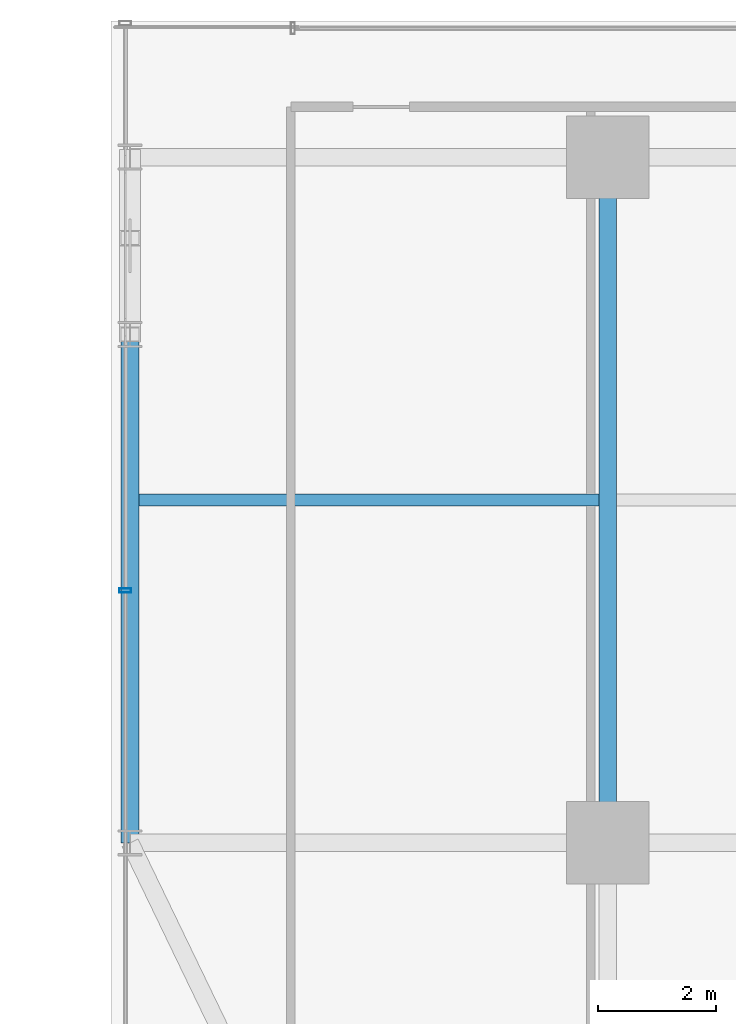
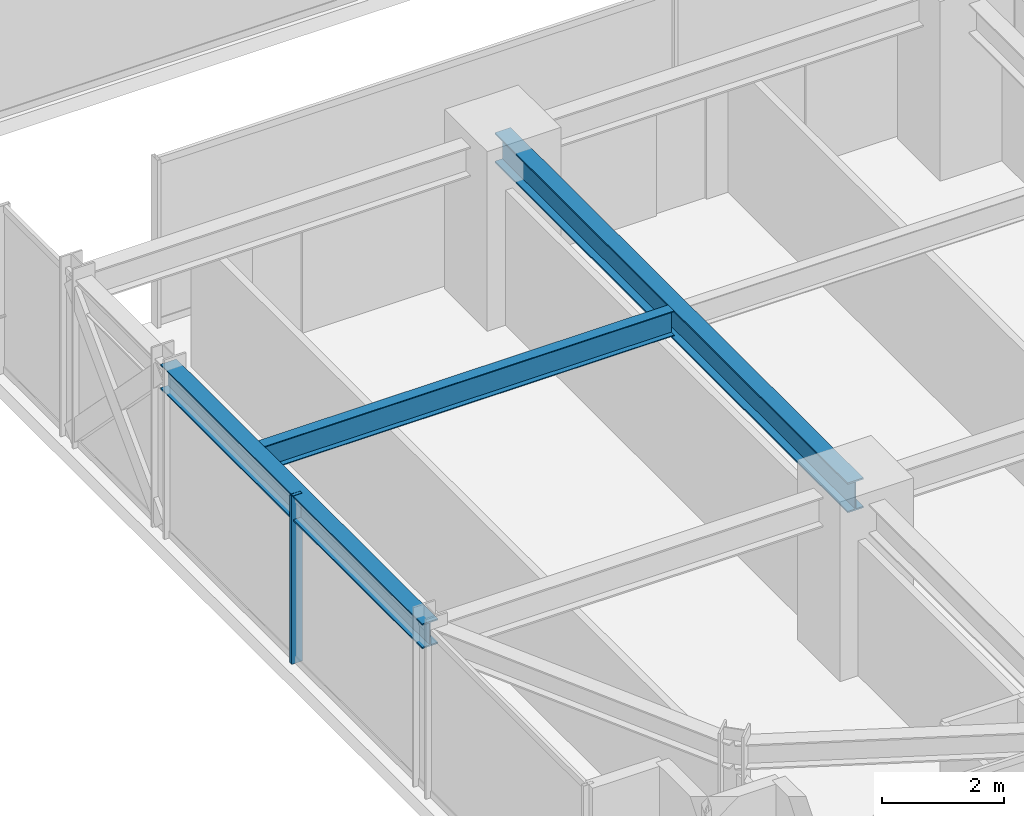
# One storey, part 4 of 43: 3 beams, 1 member, 1 element without a shape of its own.
"""IFC4 building model written with IfcOpenShell, lengths in metres."""

from ifc_helpers import new_model, si_unit, direction, frame, origin, origin_2d, place, context, subcontext, project, spatial, hollow_rectangle, i_section, extrude, source, transform, mapped, material, material_profile, profile_set, type_object, element, aggregate, save


model = new_model("IFC4")

# Units and contexts
model_context = context("Model", 3, precision=1e-05, world=origin(), true_north=direction((0.0, 1.0)))
body_context = subcontext(model_context, "Body", "Model", "MODEL_VIEW")
ifc_project = project(units=[si_unit("LENGTHUNIT", "METRE"), si_unit("AREAUNIT", "SQUARE_METRE"), si_unit("VOLUMEUNIT", "CUBIC_METRE"), si_unit("PLANEANGLEUNIT", "RADIAN"), si_unit("MASSUNIT", "GRAM", prefix="KILO")], contexts=[model_context])

# Site, building, storey
site_placement = place(None, origin())
site = spatial("IfcSite", under=ifc_project, at=site_placement, CompositionType="ELEMENT")
building_placement = place(site_placement, origin())
building = spatial("IfcBuilding", under=site, at=building_placement, Name="Nahalor Promenade Grand Hotel", CompositionType="ELEMENT")
storey_placement = place(building_placement, frame((0.0, 0.0, 47.0)))
storey = spatial("IfcBuildingStorey", under=building, at=storey_placement, Name="L10", CompositionType="ELEMENT", Elevation=47.0)

# Beams
ifc_material_1 = material(Name="Steel S355JR", Category="steel")
ifc_material_profile_1 = material_profile(ifc_material_1, i_section(OverallWidth=0.3, OverallDepth=0.6, WebThickness=0.0155, FlangeThickness=0.03, at=origin_2d()), Name="HEB 600")
ifc_profile_set_1 = profile_set([ifc_material_profile_1], Name="Steel S355JR")
beam_type_1 = type_object("IfcBeamType", Name="Beam-Girder-HEB600", PredefinedType="BEAM", material=ifc_profile_set_1)
shared_shape_1 = source(origin(), body_context, "Body", "SweptSolid", [
    extrude(i_section(OverallWidth=0.3, OverallDepth=0.6, WebThickness=0.0155, FlangeThickness=0.03, at=origin_2d()), origin(), (0.0, 0.0, 1.0), 11.60009765625),
])
beam_1_placement = place(storey_placement, frame((-17.0, -17.0, 3.070068359375), z_axis=(0.0, 1.0, 0.0), x_axis=(-1.0, 0.0, 0.0)))
element("IfcBeam", 1, at=beam_1_placement, inside=storey, type_object=beam_type_1, Name="BM-L10-GY-0-1", PredefinedType="BEAM", context=body_context, shape_type="MappedRepresentation", body=[
    mapped(shared_shape_1, transform((0.0, 0.0, 0.0), scale=1.0)),
])
ifc_material_profile_2 = material_profile(ifc_material_1, i_section(OverallWidth=0.3, OverallDepth=0.5, WebThickness=0.0145, FlangeThickness=0.028, at=origin_2d()), Name="HEB 500")
ifc_profile_set_2 = profile_set([ifc_material_profile_2], Name="Steel S355JR")
beam_type_2 = type_object("IfcBeamType", Name="Beam-Spandrel-HEB500", PredefinedType="SPANDREL", material=ifc_profile_set_2)
shared_shape_2 = source(origin(), body_context, "Body", "SweptSolid", [
    extrude(i_section(OverallWidth=0.3, OverallDepth=0.5, WebThickness=0.0145, FlangeThickness=0.028, at=origin_2d()), origin(), (0.0, 0.0, 1.0), 8.60009765625),
])
beam_2_placement = place(storey_placement, frame((-25.080078125, -17.0, 3.1201171875), z_axis=(0.0, 1.0, 0.0), x_axis=(-1.0, 0.0, 0.0)))
element("IfcBeam", 2, at=beam_2_placement, inside=storey, type_object=beam_type_2, Name="BM-L10-SP-W-0", PredefinedType="SPANDREL", context=body_context, shape_type="MappedRepresentation", body=[
    mapped(shared_shape_2, transform((0.0, 0.0, 0.0), scale=1.0)),
])
ifc_material_profile_3 = material_profile(ifc_material_1, i_section(OverallWidth=0.2, OverallDepth=0.5, WebThickness=0.0102, FlangeThickness=0.016, at=origin_2d()), Name="IPE 500")
ifc_profile_set_3 = profile_set([ifc_material_profile_3], Name="Steel S355JR")
beam_type_3 = type_object("IfcBeamType", Name="Beam-Joist-IPE500", PredefinedType="JOIST", material=ifc_profile_set_3)
shared_shape_3 = source(origin(), body_context, "Body", "SweptSolid", [
    extrude(i_section(OverallWidth=0.2, OverallDepth=0.5, WebThickness=0.0102, FlangeThickness=0.016, at=origin_2d()), origin(), (0.0, 0.0, 1.0), 7.780029296875),
])
beam_3_placement = place(storey_placement, frame((-24.929931640625, -11.199951171875, 3.1201171875), z_axis=(1.0, 0.0, 0.0), x_axis=(0.0, 1.0, 0.0)))
element("IfcBeam", 3, at=beam_3_placement, inside=storey, type_object=beam_type_3, Name="BM-L10-JSW-0-0", PredefinedType="JOIST", context=body_context, shape_type="MappedRepresentation", body=[
    mapped(shared_shape_3, transform((0.0, 0.0, 0.0), scale=1.0)),
])

# Curtain wall, member
ifc_material_2 = material(Name="Anodised Bronze Aluminium EN AW-6063 T6", Category="aluminium")
curtain_wall_type = type_object("IfcCurtainWallType", Name="CW3 Elliptical-Void Collar Unitised Curtain Wall", PredefinedType="USERDEFINED", material=ifc_material_2)
curtain_wall_placement = place(storey_placement, origin())
curtain_wall = element("IfcCurtainWall", 4, at=curtain_wall_placement, inside=storey, type_object=curtain_wall_type, Name="L10 Curtain Wall CW-L10-W-1", ObjectType="UNITISED_CURTAIN_WALL", PredefinedType="USERDEFINED")
ifc_material_profile_4 = material_profile(ifc_material_2, hollow_rectangle(XDim=0.07, YDim=0.2, WallThickness=0.005, at=origin_2d()), Name="CWM 70x200x5")
ifc_profile_set_4 = profile_set([ifc_material_profile_4], Name="Anodised Bronze Aluminium EN AW-6063 T6")
member_type = type_object("IfcMemberType", Name="CWM3 Void Collar Mullion 70x200", PredefinedType="MULLION", material=ifc_profile_set_4)
shared_shape_4 = source(origin(), body_context, "Body", "SweptSolid", [
    extrude(hollow_rectangle(XDim=0.07, YDim=0.2, WallThickness=0.005, at=origin_2d()), origin(), (0.0, 0.0, 1.0), 3.3701171875),
])
member_placement = place(storey_placement, frame((-25.159912109375, -12.72998046875, 0.0), z_axis=(0.0, 0.0, 1.0), x_axis=(0.0, 1.0, 0.0)))
member = element("IfcMember", 5, at=member_placement, type_object=member_type, Name="CW-L10-W-1 Mullion 1", PredefinedType="MULLION", context=body_context, shape_type="MappedRepresentation", body=[
    mapped(shared_shape_4, transform((0.0, 0.0, 0.0), scale=1.0)),
])
aggregate(curtain_wall, [member])

save(model, "model.ifc")
